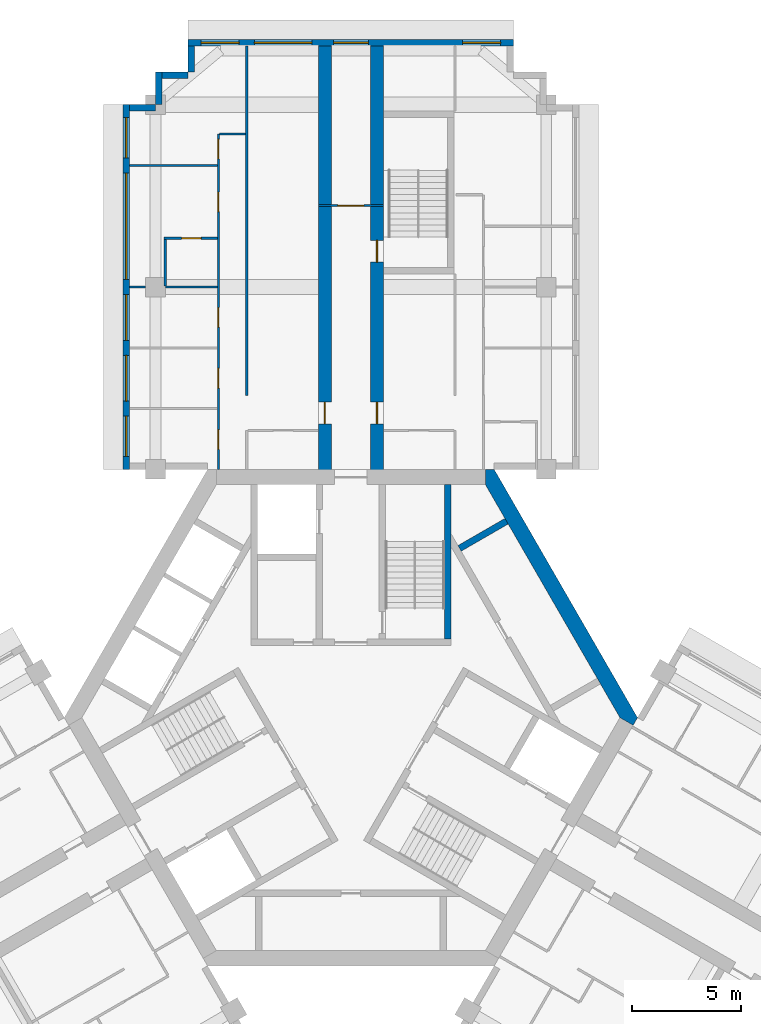
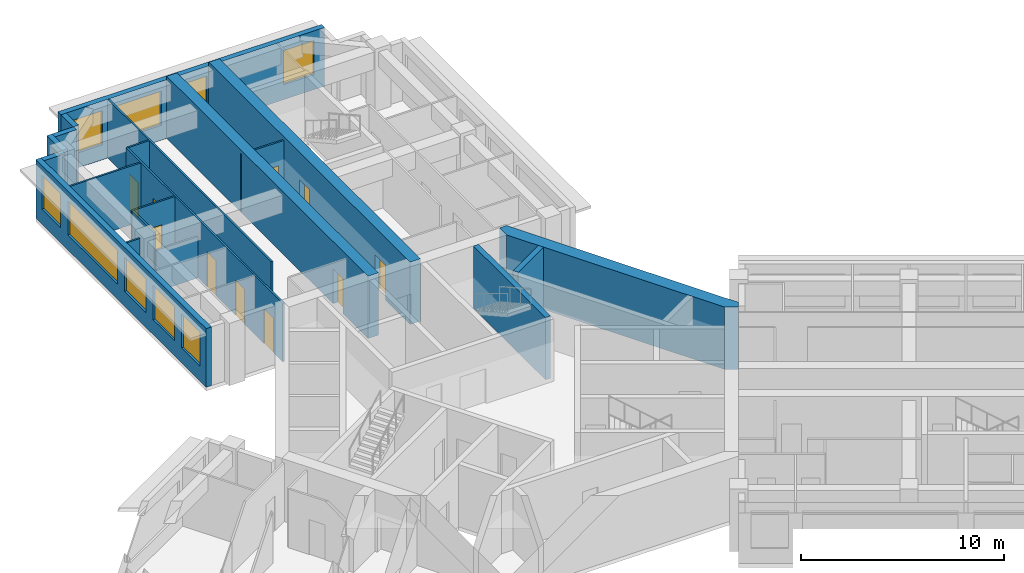
# One storey, part 7 of 10: 20 walls, 10 doors, 9 windows, 19 openings.
"""IFC4 building model written with IfcOpenShell, lengths in metres."""

from ifc_helpers import new_model, si_unit, direction, frame, frame_2d, origin, place, context, subcontext, project, spatial, polyline, rectangle, outline, extrude, material, layer, layer_set, type_object, element, fill, save


model = new_model("IFC4")

# Units and contexts
model_context = context("Model", 3, precision=1e-05, world=origin(), true_north=direction((0.0, 1.0)))
body_context = subcontext(model_context, "Body", "Model", "MODEL_VIEW")
ifc_project = project(units=[si_unit("LENGTHUNIT", "METRE"), si_unit("AREAUNIT", "SQUARE_METRE"), si_unit("VOLUMEUNIT", "CUBIC_METRE"), si_unit("PLANEANGLEUNIT", "RADIAN"), si_unit("MASSUNIT", "GRAM", prefix="KILO")], contexts=[model_context])

# Site, building, storey
site_placement = place(None, origin())
site = spatial("IfcSite", under=ifc_project, at=site_placement, CompositionType="ELEMENT")
building_placement = place(site_placement, origin())
building = spatial("IfcBuilding", under=site, at=building_placement, Name="Impinga Residences", CompositionType="ELEMENT")
storey_placement = place(building_placement, frame((0.0, 0.0, 237.25)))
storey = spatial("IfcBuildingStorey", under=building, at=storey_placement, Name="L59", CompositionType="ELEMENT", Elevation=237.25)

# Wall, opening, door
ifc_material_1 = material(Name="Concrete C60/75", Category="concrete")
ifc_layer_1 = layer(ifc_material_1, 0.60009765625)
ifc_layer_set_1 = layer_set([ifc_layer_1], Name="Concrete C60/75")
wall_type_1 = type_object("IfcWallType", Name="BW3 corridor buttress wall, L46 to L73 600", PredefinedType="SHEAR", material=ifc_layer_set_1)
wall_1_placement = place(storey_placement, frame((-1.199951171875, 11.08154296875, 0.0), z_axis=(0.0, 0.0, 1.0), x_axis=(0.0, 1.0, 0.0)))
wall_1 = element("IfcWall", 1, at=wall_1_placement, inside=storey, type_object=wall_type_1, Name="Corridor wall BW3 NC L59", PredefinedType="SHEAR", context=body_context, shape_type="SweptSolid", body=[
    extrude(rectangle(XDim=19.85009765625, YDim=0.60009765625, at=frame_2d((9.925048828125, 0.0))), origin(), (0.0, 0.0, 1.0), 3.75),
])
opening_1_placement = place(wall_1_placement, frame((2.449951171875, 0.0, 0.0)))
opening_1 = element("IfcOpeningElement", 2, at=opening_1_placement, cuts=wall_1, Name="Opening D1", PredefinedType="OPENING", context=body_context, shape_type="SweptSolid", body=[
    extrude(rectangle(XDim=1.0, YDim=2.10009765625, at=frame_2d((0.5, 1.050048828125))), frame((0.0, 0.31005859375, 0.0), z_axis=(0.0, -1.0, 0.0), x_axis=(1.0, 0.0, 0.0)), (0.0, 0.0, 1.0), 0.6201171875),
])
ifc_material_2 = material(Name="Timber door set", Category="wood")
door_type_1 = type_object("IfcDoorType", Name="D1 apartment entrance door 1000x2100", OperationType="SINGLE_SWING_LEFT", PredefinedType="DOOR", material=ifc_material_2)
door_1_placement = place(opening_1_placement, origin())
door_1 = element("IfcDoor", 3, at=door_1_placement, inside=storey, type_object=door_type_1, Name="Apartment L59-NA1 entrance", OperationType="SINGLE_SWING_LEFT", OverallHeight=2.10009765625, OverallWidth=1.0, PredefinedType="DOOR", context=body_context, shape_type="SweptSolid", body=[
    extrude(rectangle(XDim=1.0, YDim=2.10009765625, at=frame_2d((0.5, 1.050048828125))), frame((0.0, 0.02490234375, 0.0), z_axis=(0.0, -1.0, 0.0), x_axis=(1.0, 0.0, 0.0)), (0.0, 0.0, 1.0), 0.050048828125),
])
fill(opening_1, door_1)

# Wall, openings, doors
wall_2_placement = place(storey_placement, frame((1.199951171875, 11.08154296875, 0.0), z_axis=(0.0, 0.0, 1.0), x_axis=(0.0, 1.0, 0.0)))
wall_2 = element("IfcWall", 4, at=wall_2_placement, inside=storey, type_object=wall_type_1, Name="Corridor wall BW3 ND L59", PredefinedType="SHEAR", context=body_context, shape_type="SweptSolid", body=[
    extrude(rectangle(XDim=19.85009765625, YDim=0.60009765625, at=frame_2d((9.925048828125, 0.0))), origin(), (0.0, 0.0, 1.0), 3.75),
])
opening_2_placement = place(wall_2_placement, frame((9.89990234375, 0.0, 0.0)))
opening_2 = element("IfcOpeningElement", 5, at=opening_2_placement, cuts=wall_2, Name="Opening D5", PredefinedType="OPENING", context=body_context, shape_type="SweptSolid", body=[
    extrude(rectangle(XDim=1.0, YDim=2.10009765625, at=frame_2d((0.5, 1.050048828125))), frame((0.0, 0.31005859375, 0.0), z_axis=(0.0, -1.0, 0.0), x_axis=(1.0, 0.0, 0.0)), (0.0, 0.0, 1.0), 0.6201171875),
])
opening_3_placement = place(wall_2_placement, frame((2.449951171875, 0.0, 0.0)))
opening_3 = element("IfcOpeningElement", 6, at=opening_3_placement, cuts=wall_2, Name="Opening D1", PredefinedType="OPENING", context=body_context, shape_type="SweptSolid", body=[
    extrude(rectangle(XDim=1.0, YDim=2.10009765625, at=frame_2d((0.5, 1.050048828125))), frame((0.0, 0.31005859375, 0.0), z_axis=(0.0, -1.0, 0.0), x_axis=(1.0, 0.0, 0.0)), (0.0, 0.0, 1.0), 0.6201171875),
])
door_2_placement = place(opening_3_placement, origin())
door_2 = element("IfcDoor", 7, at=door_2_placement, inside=storey, type_object=door_type_1, Name="Apartment L59-NF1 entrance", OperationType="SINGLE_SWING_LEFT", OverallHeight=2.10009765625, OverallWidth=1.0, PredefinedType="DOOR", context=body_context, shape_type="SweptSolid", body=[
    extrude(rectangle(XDim=1.0, YDim=2.10009765625, at=frame_2d((0.5, 1.050048828125))), frame((0.0, 0.02490234375, 0.0), z_axis=(0.0, -1.0, 0.0), x_axis=(1.0, 0.0, 0.0)), (0.0, 0.0, 1.0), 0.050048828125),
])
fill(opening_3, door_2)
door_type_2 = type_object("IfcDoorType", Name="D5 stair door 1000x2100", OperationType="SINGLE_SWING_LEFT", PredefinedType="DOOR", material=ifc_material_2)
door_3_placement = place(opening_2_placement, origin())
door_3 = element("IfcDoor", 8, at=door_3_placement, inside=storey, type_object=door_type_2, Name="Wing stair door N", OperationType="SINGLE_SWING_RIGHT", OverallHeight=2.10009765625, OverallWidth=1.0, PredefinedType="DOOR", context=body_context, shape_type="SweptSolid", body=[
    extrude(rectangle(XDim=1.0, YDim=2.10009765625, at=frame_2d((0.5, 1.050048828125))), frame((0.0, 0.02490234375, 0.0), z_axis=(0.0, -1.0, 0.0), x_axis=(1.0, 0.0, 0.0)), (0.0, 0.0, 1.0), 0.050048828125),
])
fill(opening_2, door_3)

# Wall, opening, door
ifc_material_3 = material(Name="Concrete blockwork", Category="masonry")
ifc_layer_2 = layer(ifc_material_3, 0.10009765625)
ifc_layer_set_2 = layer_set([ifc_layer_2], Name="CP1 core room partition, blockwork 100")
wall_type_2 = type_object("IfcWallType", Name="CP1 core room partition, blockwork 100", PredefinedType="PARTITIONING", material=ifc_layer_set_2)
wall_3_placement = place(storey_placement, frame((-1.5, 23.58154296875, 0.0), z_axis=(0.0, 0.0, 1.0), x_axis=(1.0, 0.0, 0.0)))
wall_3 = element("IfcWall", 9, at=wall_3_placement, inside=storey, type_object=wall_type_2, Name="Core room partition, blockwork L59:N:LNG", PredefinedType="PARTITIONING", context=body_context, shape_type="SweptSolid", body=[
    extrude(rectangle(XDim=3.0, YDim=0.10009765625, at=frame_2d((1.5, 0.0))), origin(), (0.0, 0.0, 1.0), 3.530029296875),
])
opening_4_placement = place(wall_3_placement, frame((0.89990234375, 0.0, 0.0)))
opening_4 = element("IfcOpeningElement", 10, at=opening_4_placement, cuts=wall_3, Name="Opening D3", PredefinedType="OPENING", context=body_context, shape_type="SweptSolid", body=[
    extrude(rectangle(XDim=1.199951171875, YDim=2.10009765625, at=frame_2d((0.60009765625, 1.050048828125))), frame((0.0, 0.06005859375, 0.0), z_axis=(0.0, -1.0, 0.0), x_axis=(1.0, 0.0, 0.0)), (0.0, 0.0, 1.0), 0.1201171875),
])
door_type_3 = type_object("IfcDoorType", Name="D3 room door, leaf and a half 1200x2100", OperationType="DOUBLE_SWING_LEFT", PredefinedType="DOOR", material=ifc_material_2)
door_4_placement = place(opening_4_placement, origin())
door_4 = element("IfcDoor", 11, at=door_4_placement, inside=storey, type_object=door_type_3, Name="Residents' lounge door N", OperationType="DOUBLE_SWING_LEFT", OverallHeight=2.10009765625, OverallWidth=1.199951171875, PredefinedType="DOOR", context=body_context, shape_type="SweptSolid", body=[
    extrude(rectangle(XDim=1.199951171875, YDim=2.10009765625, at=frame_2d((0.60009765625, 1.050048828125))), frame((0.0, 0.02490234375, 0.0), z_axis=(0.0, -1.0, 0.0), x_axis=(1.0, 0.0, 0.0)), (0.0, 0.0, 1.0), 0.050048828125),
])
fill(opening_4, door_4)

# Wall, openings, windows
ifc_material_4 = material(Name="Terracotta rainscreen on blockwork", Category="masonry")
ifc_layer_3 = layer(ifc_material_4, 0.300048828125)
ifc_layer_set_3 = layer_set([ifc_layer_3], Name="EW1 external wall, terracotta rainscreen on blockwork 300")
wall_type_3 = type_object("IfcWallType", Name="EW1 external wall, terracotta rainscreen on blockwork 300", PredefinedType="SOLIDWALL", material=ifc_layer_set_3)
wall_4_placement = place(storey_placement, frame((-10.35009765625, 11.431640625, 0.0), z_axis=(0.0, 0.0, 1.0), x_axis=(0.0, 1.0, 0.0)))
wall_4 = element("IfcWall", 12, at=wall_4_placement, inside=storey, type_object=wall_type_3, Name="External wall EW1 L59", PredefinedType="SOLIDWALL", context=body_context, shape_type="SweptSolid", body=[
    extrude(rectangle(XDim=16.7998046875, YDim=0.300048828125, at=frame_2d((8.39990234375, 0.0))), origin(), (0.0, 0.0, 1.0), 3.530029296875),
])
opening_5_placement = place(wall_4_placement, frame((0.60009765625, 0.0, 0.89990234375)))
opening_5 = element("IfcOpeningElement", 13, at=opening_5_placement, cuts=wall_4, Name="Opening W15", PredefinedType="OPENING", context=body_context, shape_type="SweptSolid", body=[
    extrude(rectangle(XDim=1.85009765625, YDim=2.050048828125, at=frame_2d((0.925048828125, 1.02490234375))), frame((0.0, 0.159912109375, 0.0), z_axis=(0.0, -1.0, 0.0), x_axis=(1.0, 0.0, 0.0)), (0.0, 0.0, 1.0), 0.320068359375),
])
opening_6_placement = place(wall_4_placement, frame((3.14990234375, 0.0, 0.89990234375)))
opening_6 = element("IfcOpeningElement", 14, at=opening_6_placement, cuts=wall_4, Name="Opening W9", PredefinedType="OPENING", context=body_context, shape_type="SweptSolid", body=[
    extrude(rectangle(XDim=2.10009765625, YDim=2.050048828125, at=frame_2d((1.050048828125, 1.02490234375))), frame((0.0, 0.159912109375, 0.0), z_axis=(0.0, -1.0, 0.0), x_axis=(1.0, 0.0, 0.0)), (0.0, 0.0, 1.0), 0.320068359375),
])
opening_7_placement = place(wall_4_placement, frame((5.949951171875, 0.0, 0.89990234375)))
opening_7 = element("IfcOpeningElement", 15, at=opening_7_placement, cuts=wall_4, Name="Opening W9", PredefinedType="OPENING", context=body_context, shape_type="SweptSolid", body=[
    extrude(rectangle(XDim=2.10009765625, YDim=2.050048828125, at=frame_2d((1.050048828125, 1.02490234375))), frame((0.0, 0.159912109375, 0.0), z_axis=(0.0, -1.0, 0.0), x_axis=(1.0, 0.0, 0.0)), (0.0, 0.0, 1.0), 0.320068359375),
])
opening_8_placement = place(wall_4_placement, frame((8.75, 0.0, 0.89990234375)))
opening_8 = element("IfcOpeningElement", 16, at=opening_8_placement, cuts=wall_4, Name="Opening W16", PredefinedType="OPENING", context=body_context, shape_type="SweptSolid", body=[
    extrude(rectangle(XDim=4.89990234375, YDim=2.050048828125, at=frame_2d((2.449951171875, 1.02490234375))), frame((0.0, 0.159912109375, 0.0), z_axis=(0.0, -1.0, 0.0), x_axis=(1.0, 0.0, 0.0)), (0.0, 0.0, 1.0), 0.320068359375),
])
opening_9_placement = place(wall_4_placement, frame((14.35009765625, 0.0, 0.89990234375)))
opening_9 = element("IfcOpeningElement", 17, at=opening_9_placement, cuts=wall_4, Name="Opening W15", PredefinedType="OPENING", context=body_context, shape_type="SweptSolid", body=[
    extrude(rectangle(XDim=1.85009765625, YDim=2.050048828125, at=frame_2d((0.925048828125, 1.02490234375))), frame((0.0, 0.159912109375, 0.0), z_axis=(0.0, -1.0, 0.0), x_axis=(1.0, 0.0, 0.0)), (0.0, 0.0, 1.0), 0.320068359375),
])
ifc_material_5 = material(Name="Aluminium window, clear double glazing", Category="aluminium")
window_type_1 = type_object("IfcWindowType", Name="W15 ribbon window 1850x2050", PartitioningType="SINGLE_PANEL", PredefinedType="WINDOW", material=ifc_material_5)
window_1_placement = place(opening_5_placement, origin())
window_1 = element("IfcWindow", 18, at=window_1_placement, inside=storey, type_object=window_type_1, Name="Window L59", OverallHeight=2.050048828125, OverallWidth=1.85009765625, PartitioningType="SINGLE_PANEL", PredefinedType="WINDOW", context=body_context, shape_type="SweptSolid", body=[
    extrude(rectangle(XDim=1.85009765625, YDim=2.050048828125, at=frame_2d((0.925048828125, 1.02490234375))), frame((0.0, 0.030029296875, 0.0), z_axis=(0.0, -1.0, 0.0), x_axis=(1.0, 0.0, 0.0)), (0.0, 0.0, 1.0), 0.06005859375),
])
fill(opening_5, window_1)
window_2_placement = place(opening_9_placement, origin())
window_2 = element("IfcWindow", 19, at=window_2_placement, inside=storey, type_object=window_type_1, Name="Window L59", OverallHeight=2.050048828125, OverallWidth=1.85009765625, PartitioningType="SINGLE_PANEL", PredefinedType="WINDOW", context=body_context, shape_type="SweptSolid", body=[
    extrude(rectangle(XDim=1.85009765625, YDim=2.050048828125, at=frame_2d((0.925048828125, 1.02490234375))), frame((0.0, 0.030029296875, 0.0), z_axis=(0.0, -1.0, 0.0), x_axis=(1.0, 0.0, 0.0)), (0.0, 0.0, 1.0), 0.06005859375),
])
fill(opening_9, window_2)
window_type_2 = type_object("IfcWindowType", Name="W16 ribbon window 4900x2050", PartitioningType="SINGLE_PANEL", PredefinedType="WINDOW", material=ifc_material_5)
window_3_placement = place(opening_8_placement, origin())
window_3 = element("IfcWindow", 20, at=window_3_placement, inside=storey, type_object=window_type_2, Name="Window L59", OverallHeight=2.050048828125, OverallWidth=4.89990234375, PartitioningType="SINGLE_PANEL", PredefinedType="WINDOW", context=body_context, shape_type="SweptSolid", body=[
    extrude(rectangle(XDim=4.89990234375, YDim=2.050048828125, at=frame_2d((2.449951171875, 1.02490234375))), frame((0.0, 0.030029296875, 0.0), z_axis=(0.0, -1.0, 0.0), x_axis=(1.0, 0.0, 0.0)), (0.0, 0.0, 1.0), 0.06005859375),
])
fill(opening_8, window_3)
window_type_3 = type_object("IfcWindowType", Name="W9 ribbon window 2100x2050", PartitioningType="SINGLE_PANEL", PredefinedType="WINDOW", material=ifc_material_5)
window_4_placement = place(opening_6_placement, origin())
window_4 = element("IfcWindow", 21, at=window_4_placement, inside=storey, type_object=window_type_3, Name="Window L59", OverallHeight=2.050048828125, OverallWidth=2.10009765625, PartitioningType="SINGLE_PANEL", PredefinedType="WINDOW", context=body_context, shape_type="SweptSolid", body=[
    extrude(rectangle(XDim=2.10009765625, YDim=2.050048828125, at=frame_2d((1.050048828125, 1.02490234375))), frame((0.0, 0.030029296875, 0.0), z_axis=(0.0, -1.0, 0.0), x_axis=(1.0, 0.0, 0.0)), (0.0, 0.0, 1.0), 0.06005859375),
])
fill(opening_6, window_4)
window_5_placement = place(opening_7_placement, origin())
window_5 = element("IfcWindow", 22, at=window_5_placement, inside=storey, type_object=window_type_3, Name="Window L59", OverallHeight=2.050048828125, OverallWidth=2.10009765625, PartitioningType="SINGLE_PANEL", PredefinedType="WINDOW", context=body_context, shape_type="SweptSolid", body=[
    extrude(rectangle(XDim=2.10009765625, YDim=2.050048828125, at=frame_2d((1.050048828125, 1.02490234375))), frame((0.0, 0.030029296875, 0.0), z_axis=(0.0, -1.0, 0.0), x_axis=(1.0, 0.0, 0.0)), (0.0, 0.0, 1.0), 0.06005859375),
])
fill(opening_7, window_5)

# Walls
wall_5_placement = place(storey_placement, frame((-10.199951171875, 28.08154296875, 0.0), z_axis=(0.0, 0.0, 1.0), x_axis=(1.0, 0.0, 0.0)))
element("IfcWall", 23, at=wall_5_placement, inside=storey, type_object=wall_type_3, Name="External wall EW1 L59", PredefinedType="SOLIDWALL", context=body_context, shape_type="SweptSolid", body=[
    extrude(rectangle(XDim=1.199951171875, YDim=0.300048828125, at=frame_2d((0.60009765625, 0.0))), origin(), (0.0, 0.0, 1.0), 3.530029296875),
])
wall_6_placement = place(storey_placement, frame((-8.85009765625, 28.236572265625, 0.0), z_axis=(0.0, 0.0, 1.0), x_axis=(0.0, 1.0, 0.0)))
element("IfcWall", 24, at=wall_6_placement, inside=storey, type_object=wall_type_3, Name="External wall EW1 L59", PredefinedType="SOLIDWALL", context=body_context, shape_type="SweptSolid", body=[
    extrude(rectangle(XDim=1.494873046875, YDim=0.300048828125, at=frame_2d((0.74755859375, 0.0))), origin(), (0.0, 0.0, 1.0), 3.530029296875),
])
wall_7_placement = place(storey_placement, frame((-8.699951171875, 29.58154296875, 0.0), z_axis=(0.0, 0.0, 1.0), x_axis=(1.0, 0.0, 0.0)))
element("IfcWall", 25, at=wall_7_placement, inside=storey, type_object=wall_type_3, Name="External wall EW1 L59", PredefinedType="SOLIDWALL", context=body_context, shape_type="SweptSolid", body=[
    extrude(rectangle(XDim=1.199951171875, YDim=0.300048828125, at=frame_2d((0.60009765625, 0.0))), origin(), (0.0, 0.0, 1.0), 3.530029296875),
])
wall_8_placement = place(storey_placement, frame((-7.35009765625, 29.736572265625, 0.0), z_axis=(0.0, 0.0, 1.0), x_axis=(0.0, 1.0, 0.0)))
element("IfcWall", 26, at=wall_8_placement, inside=storey, type_object=wall_type_3, Name="External wall EW1 L59", PredefinedType="SOLIDWALL", context=body_context, shape_type="SweptSolid", body=[
    extrude(rectangle(XDim=1.195068359375, YDim=0.300048828125, at=frame_2d((0.59765625, 0.0))), origin(), (0.0, 0.0, 1.0), 3.530029296875),
])

# Wall, openings, windows
wall_9_placement = place(storey_placement, frame((-7.5, 31.08154296875, 0.0), z_axis=(0.0, 0.0, 1.0), x_axis=(1.0, 0.0, 0.0)))
wall_9 = element("IfcWall", 27, at=wall_9_placement, inside=storey, type_object=wall_type_3, Name="External wall EW1 L59", PredefinedType="SOLIDWALL", context=body_context, shape_type="SweptSolid", body=[
    extrude(rectangle(XDim=15.0, YDim=0.300048828125, at=frame_2d((7.5, 0.0))), origin(), (0.0, 0.0, 1.0), 3.530029296875),
])
opening_10_placement = place(wall_9_placement, frame((0.60009765625, 0.0, 0.89990234375)))
opening_10 = element("IfcOpeningElement", 28, at=opening_10_placement, cuts=wall_9, Name="Opening W1", PredefinedType="OPENING", context=body_context, shape_type="SweptSolid", body=[
    extrude(rectangle(XDim=1.75, YDim=2.050048828125, at=frame_2d((0.875, 1.02490234375))), frame((0.0, 0.159912109375, 0.0), z_axis=(0.0, -1.0, 0.0), x_axis=(1.0, 0.0, 0.0)), (0.0, 0.0, 1.0), 0.320068359375),
])
opening_11_placement = place(wall_9_placement, frame((3.050048828125, 0.0, 0.89990234375)))
opening_11 = element("IfcOpeningElement", 29, at=opening_11_placement, cuts=wall_9, Name="Opening W18", PredefinedType="OPENING", context=body_context, shape_type="SweptSolid", body=[
    extrude(rectangle(XDim=2.64990234375, YDim=2.050048828125, at=frame_2d((1.324951171875, 1.02490234375))), frame((0.0, 0.159912109375, 0.0), z_axis=(0.0, -1.0, 0.0), x_axis=(1.0, 0.0, 0.0)), (0.0, 0.0, 1.0), 0.320068359375),
])
opening_12_placement = place(wall_9_placement, frame((6.699951171875, 0.0, 0.89990234375)))
opening_12 = element("IfcOpeningElement", 30, at=opening_12_placement, cuts=wall_9, Name="Opening W19", PredefinedType="OPENING", context=body_context, shape_type="SweptSolid", body=[
    extrude(rectangle(XDim=1.60009765625, YDim=2.050048828125, at=frame_2d((0.800048828125, 1.02490234375))), frame((0.0, 0.159912109375, 0.0), z_axis=(0.0, -1.0, 0.0), x_axis=(1.0, 0.0, 0.0)), (0.0, 0.0, 1.0), 0.320068359375),
])
opening_13_placement = place(wall_9_placement, frame((12.64990234375, 0.0, 0.89990234375)))
opening_13 = element("IfcOpeningElement", 31, at=opening_13_placement, cuts=wall_9, Name="Opening W1", PredefinedType="OPENING", context=body_context, shape_type="SweptSolid", body=[
    extrude(rectangle(XDim=1.75, YDim=2.050048828125, at=frame_2d((0.875, 1.02490234375))), frame((0.0, 0.159912109375, 0.0), z_axis=(0.0, -1.0, 0.0), x_axis=(1.0, 0.0, 0.0)), (0.0, 0.0, 1.0), 0.320068359375),
])
window_type_4 = type_object("IfcWindowType", Name="W1 ribbon window 1750x2050", PartitioningType="SINGLE_PANEL", PredefinedType="WINDOW", material=ifc_material_5)
window_6_placement = place(opening_10_placement, origin())
window_6 = element("IfcWindow", 32, at=window_6_placement, inside=storey, type_object=window_type_4, Name="Window L59", OverallHeight=2.050048828125, OverallWidth=1.75, PartitioningType="SINGLE_PANEL", PredefinedType="WINDOW", context=body_context, shape_type="SweptSolid", body=[
    extrude(rectangle(XDim=1.75, YDim=2.050048828125, at=frame_2d((0.875, 1.02490234375))), frame((0.0, 0.030029296875, 0.0), z_axis=(0.0, -1.0, 0.0), x_axis=(1.0, 0.0, 0.0)), (0.0, 0.0, 1.0), 0.06005859375),
])
fill(opening_10, window_6)
window_7_placement = place(opening_13_placement, origin())
window_7 = element("IfcWindow", 33, at=window_7_placement, inside=storey, type_object=window_type_4, Name="Window L59", OverallHeight=2.050048828125, OverallWidth=1.75, PartitioningType="SINGLE_PANEL", PredefinedType="WINDOW", context=body_context, shape_type="SweptSolid", body=[
    extrude(rectangle(XDim=1.75, YDim=2.050048828125, at=frame_2d((0.875, 1.02490234375))), frame((0.0, 0.030029296875, 0.0), z_axis=(0.0, -1.0, 0.0), x_axis=(1.0, 0.0, 0.0)), (0.0, 0.0, 1.0), 0.06005859375),
])
fill(opening_13, window_7)
window_type_5 = type_object("IfcWindowType", Name="W18 ribbon window 2650x2050", PartitioningType="SINGLE_PANEL", PredefinedType="WINDOW", material=ifc_material_5)
window_8_placement = place(opening_11_placement, origin())
window_8 = element("IfcWindow", 34, at=window_8_placement, inside=storey, type_object=window_type_5, Name="Window L59", OverallHeight=2.050048828125, OverallWidth=2.64990234375, PartitioningType="SINGLE_PANEL", PredefinedType="WINDOW", context=body_context, shape_type="SweptSolid", body=[
    extrude(rectangle(XDim=2.64990234375, YDim=2.050048828125, at=frame_2d((1.324951171875, 1.02490234375))), frame((0.0, 0.030029296875, 0.0), z_axis=(0.0, -1.0, 0.0), x_axis=(1.0, 0.0, 0.0)), (0.0, 0.0, 1.0), 0.06005859375),
])
fill(opening_11, window_8)
window_type_6 = type_object("IfcWindowType", Name="W19 ribbon window 1600x2050", PartitioningType="SINGLE_PANEL", PredefinedType="WINDOW", material=ifc_material_5)
window_9_placement = place(opening_12_placement, origin())
window_9 = element("IfcWindow", 35, at=window_9_placement, inside=storey, type_object=window_type_6, Name="Window L59", OverallHeight=2.050048828125, OverallWidth=1.60009765625, PartitioningType="SINGLE_PANEL", PredefinedType="WINDOW", context=body_context, shape_type="SweptSolid", body=[
    extrude(rectangle(XDim=1.60009765625, YDim=2.050048828125, at=frame_2d((0.800048828125, 1.02490234375))), frame((0.0, 0.030029296875, 0.0), z_axis=(0.0, -1.0, 0.0), x_axis=(1.0, 0.0, 0.0)), (0.0, 0.0, 1.0), 0.06005859375),
])
fill(opening_12, window_9)

# Wall
ifc_material_6 = material(Name="Gypsum board on steel studs", Category="steel")
ifc_layer_4 = layer(ifc_material_6, 0.10009765625)
ifc_layer_set_4 = layer_set([ifc_layer_4], Name="Gypsum board on steel studs")
wall_type_4 = type_object("IfcWallType", Name="IP1 partition 100", PredefinedType="PARTITIONING", material=ifc_layer_set_4)
wall_10_placement = place(storey_placement, frame((-4.800048828125, 14.83154296875, 0.0), z_axis=(0.0, 0.0, 1.0), x_axis=(0.0, 1.0, 0.0)))
element("IfcWall", 36, at=wall_10_placement, inside=storey, type_object=wall_type_4, Name="Partition L59-NA1:DIV1", PredefinedType="PARTITIONING", context=body_context, shape_type="SweptSolid", body=[
    extrude(rectangle(XDim=16.10009765625, YDim=0.10009765625, at=frame_2d((8.050048828125, 0.0))), origin(), (0.0, 0.0, 1.0), 3.530029296875),
])

# Wall, openings, doors
wall_11_placement = place(storey_placement, frame((-6.10009765625, 11.431640625, 0.0), z_axis=(0.0, 0.0, 1.0), x_axis=(0.0, 1.0, 0.0)))
wall_11 = element("IfcWall", 37, at=wall_11_placement, inside=storey, type_object=wall_type_4, Name="Partition L59-NA1:STRIP", PredefinedType="PARTITIONING", context=body_context, shape_type="SweptSolid", body=[
    extrude(rectangle(XDim=15.449951171875, YDim=0.10009765625, at=frame_2d((7.72509765625, 0.0))), origin(), (0.0, 0.0, 1.0), 3.530029296875),
])
opening_14_placement = place(wall_11_placement, frame((0.925048828125, 0.0, 0.0)))
opening_14 = element("IfcOpeningElement", 38, at=opening_14_placement, cuts=wall_11, Name="Opening D2", PredefinedType="OPENING", context=body_context, shape_type="SweptSolid", body=[
    extrude(rectangle(XDim=0.89990234375, YDim=2.10009765625, at=frame_2d((0.449951171875, 1.050048828125))), frame((0.0, 0.06005859375, 0.0), z_axis=(0.0, -1.0, 0.0), x_axis=(1.0, 0.0, 0.0)), (0.0, 0.0, 1.0), 0.1201171875),
])
opening_15_placement = place(wall_11_placement, frame((3.75, 0.0, 0.0)))
opening_15 = element("IfcOpeningElement", 39, at=opening_15_placement, cuts=wall_11, Name="Opening D2", PredefinedType="OPENING", context=body_context, shape_type="SweptSolid", body=[
    extrude(rectangle(XDim=0.89990234375, YDim=2.10009765625, at=frame_2d((0.449951171875, 1.050048828125))), frame((0.0, 0.06005859375, 0.0), z_axis=(0.0, -1.0, 0.0), x_axis=(1.0, 0.0, 0.0)), (0.0, 0.0, 1.0), 0.1201171875),
])
opening_16_placement = place(wall_11_placement, frame((6.550048828125, 0.0, 0.0)))
opening_16 = element("IfcOpeningElement", 40, at=opening_16_placement, cuts=wall_11, Name="Opening D2", PredefinedType="OPENING", context=body_context, shape_type="SweptSolid", body=[
    extrude(rectangle(XDim=0.89990234375, YDim=2.10009765625, at=frame_2d((0.449951171875, 1.050048828125))), frame((0.0, 0.06005859375, 0.0), z_axis=(0.0, -1.0, 0.0), x_axis=(1.0, 0.0, 0.0)), (0.0, 0.0, 1.0), 0.1201171875),
])
opening_17_placement = place(wall_11_placement, frame((11.875, 0.0, 0.0)))
opening_17 = element("IfcOpeningElement", 41, at=opening_17_placement, cuts=wall_11, Name="Opening D2", PredefinedType="OPENING", context=body_context, shape_type="SweptSolid", body=[
    extrude(rectangle(XDim=0.89990234375, YDim=2.10009765625, at=frame_2d((0.449951171875, 1.050048828125))), frame((0.0, 0.06005859375, 0.0), z_axis=(0.0, -1.0, 0.0), x_axis=(1.0, 0.0, 0.0)), (0.0, 0.0, 1.0), 0.1201171875),
])
opening_18_placement = place(wall_11_placement, frame((14.300048828125, 0.0, 0.0)))
opening_18 = element("IfcOpeningElement", 42, at=opening_18_placement, cuts=wall_11, Name="Opening D2", PredefinedType="OPENING", context=body_context, shape_type="SweptSolid", body=[
    extrude(rectangle(XDim=0.89990234375, YDim=2.10009765625, at=frame_2d((0.449951171875, 1.050048828125))), frame((0.0, 0.06005859375, 0.0), z_axis=(0.0, -1.0, 0.0), x_axis=(1.0, 0.0, 0.0)), (0.0, 0.0, 1.0), 0.1201171875),
])
door_type_4 = type_object("IfcDoorType", Name="D2 internal door 900x2100", OperationType="SINGLE_SWING_LEFT", PredefinedType="DOOR", material=ifc_material_2)
door_5_placement = place(opening_14_placement, origin())
door_5 = element("IfcDoor", 43, at=door_5_placement, inside=storey, type_object=door_type_4, Name="Apartment L59-NA1 room door", OperationType="SINGLE_SWING_LEFT", OverallHeight=2.10009765625, OverallWidth=0.89990234375, PredefinedType="DOOR", context=body_context, shape_type="SweptSolid", body=[
    extrude(rectangle(XDim=0.89990234375, YDim=2.10009765625, at=frame_2d((0.449951171875, 1.050048828125))), frame((0.0, 0.02490234375, 0.0), z_axis=(0.0, -1.0, 0.0), x_axis=(1.0, 0.0, 0.0)), (0.0, 0.0, 1.0), 0.050048828125),
])
fill(opening_14, door_5)
door_6_placement = place(opening_15_placement, origin())
door_6 = element("IfcDoor", 44, at=door_6_placement, inside=storey, type_object=door_type_4, Name="Apartment L59-NA1 room door", OperationType="SINGLE_SWING_LEFT", OverallHeight=2.10009765625, OverallWidth=0.89990234375, PredefinedType="DOOR", context=body_context, shape_type="SweptSolid", body=[
    extrude(rectangle(XDim=0.89990234375, YDim=2.10009765625, at=frame_2d((0.449951171875, 1.050048828125))), frame((0.0, 0.02490234375, 0.0), z_axis=(0.0, -1.0, 0.0), x_axis=(1.0, 0.0, 0.0)), (0.0, 0.0, 1.0), 0.050048828125),
])
fill(opening_15, door_6)
door_7_placement = place(opening_16_placement, origin())
door_7 = element("IfcDoor", 45, at=door_7_placement, inside=storey, type_object=door_type_4, Name="Apartment L59-NA1 room door", OperationType="SINGLE_SWING_LEFT", OverallHeight=2.10009765625, OverallWidth=0.89990234375, PredefinedType="DOOR", context=body_context, shape_type="SweptSolid", body=[
    extrude(rectangle(XDim=0.89990234375, YDim=2.10009765625, at=frame_2d((0.449951171875, 1.050048828125))), frame((0.0, 0.02490234375, 0.0), z_axis=(0.0, -1.0, 0.0), x_axis=(1.0, 0.0, 0.0)), (0.0, 0.0, 1.0), 0.050048828125),
])
fill(opening_16, door_7)
door_8_placement = place(opening_17_placement, origin())
door_8 = element("IfcDoor", 46, at=door_8_placement, inside=storey, type_object=door_type_4, Name="Apartment L59-NA1 room door", OperationType="SINGLE_SWING_RIGHT", OverallHeight=2.10009765625, OverallWidth=0.89990234375, PredefinedType="DOOR", context=body_context, shape_type="SweptSolid", body=[
    extrude(rectangle(XDim=0.89990234375, YDim=2.10009765625, at=frame_2d((0.449951171875, 1.050048828125))), frame((0.0, 0.02490234375, 0.0), z_axis=(0.0, -1.0, 0.0), x_axis=(1.0, 0.0, 0.0)), (0.0, 0.0, 1.0), 0.050048828125),
])
fill(opening_17, door_8)
door_9_placement = place(opening_18_placement, origin())
door_9 = element("IfcDoor", 47, at=door_9_placement, inside=storey, type_object=door_type_4, Name="Apartment L59-NA1 room door", OperationType="SINGLE_SWING_RIGHT", OverallHeight=2.10009765625, OverallWidth=0.89990234375, PredefinedType="DOOR", context=body_context, shape_type="SweptSolid", body=[
    extrude(rectangle(XDim=0.89990234375, YDim=2.10009765625, at=frame_2d((0.449951171875, 1.050048828125))), frame((0.0, 0.02490234375, 0.0), z_axis=(0.0, -1.0, 0.0), x_axis=(1.0, 0.0, 0.0)), (0.0, 0.0, 1.0), 0.050048828125),
])
fill(opening_18, door_9)

# Walls
wall_12_placement = place(storey_placement, frame((-4.85009765625, 26.881591796875, 0.0), z_axis=(0.0, 0.0, 1.0), x_axis=(-1.0, 0.0, 0.0)))
element("IfcWall", 48, at=wall_12_placement, inside=storey, type_object=wall_type_4, Name="Partition L59-NA1:SE1", PredefinedType="PARTITIONING", context=body_context, shape_type="SweptSolid", body=[
    extrude(rectangle(XDim=1.199951171875, YDim=0.10009765625, at=frame_2d((0.60009765625, 0.0))), origin(), (0.0, 0.0, 1.0), 3.530029296875),
])
wall_13_placement = place(storey_placement, frame((-6.14990234375, 19.83154296875, 0.0), z_axis=(0.0, 0.0, 1.0), x_axis=(-1.0, 0.0, 0.0)))
element("IfcWall", 49, at=wall_13_placement, inside=storey, type_object=wall_type_4, Name="Partition L59-NA1:OB3", PredefinedType="PARTITIONING", context=body_context, shape_type="SweptSolid", body=[
    extrude(rectangle(XDim=2.400146484375, YDim=0.10009765625, at=frame_2d((1.2001953125, 0.0))), origin(), (0.0, 0.0, 1.0), 2.47998046875),
])
wall_14_placement = place(storey_placement, frame((-9.449951171875, 19.83154296875, 0.0), z_axis=(0.0, 0.0, 1.0), x_axis=(-1.0, 0.0, 0.0)))
element("IfcWall", 50, at=wall_14_placement, inside=storey, type_object=wall_type_4, Name="Partition L59-NA1:OB3b", PredefinedType="PARTITIONING", context=body_context, shape_type="SweptSolid", body=[
    extrude(rectangle(XDim=0.75, YDim=0.10009765625, at=frame_2d((0.375, 0.0))), origin(), (0.0, 0.0, 1.0), 3.530029296875),
])
wall_15_placement = place(storey_placement, frame((-6.14990234375, 25.431640625, 0.0), z_axis=(0.0, 0.0, 1.0), x_axis=(-1.0, 0.0, 0.0)))
element("IfcWall", 51, at=wall_15_placement, inside=storey, type_object=wall_type_4, Name="Partition L59-NA1:OB4", PredefinedType="PARTITIONING", context=body_context, shape_type="SweptSolid", body=[
    extrude(rectangle(XDim=4.050048828125, YDim=0.10009765625, at=frame_2d((2.02490234375, 0.0))), origin(), (0.0, 0.0, 1.0), 3.530029296875),
])

# Wall, opening, door
wall_16_placement = place(storey_placement, frame((-6.14990234375, 22.08154296875, 0.0), z_axis=(0.0, 0.0, 1.0), x_axis=(-1.0, 0.0, 0.0)))
wall_16 = element("IfcWall", 52, at=wall_16_placement, inside=storey, type_object=wall_type_4, Name="Partition L59-NA1:EN1", PredefinedType="PARTITIONING", context=body_context, shape_type="SweptSolid", body=[
    extrude(rectangle(XDim=2.4501953125, YDim=0.10009765625, at=frame_2d((1.22509765625, 0.0))), origin(), (0.0, 0.0, 1.0), 3.530029296875),
])
opening_19_placement = place(wall_16_placement, frame((0.75, 0.0, 0.0)))
opening_19 = element("IfcOpeningElement", 53, at=opening_19_placement, cuts=wall_16, Name="Opening D2", PredefinedType="OPENING", context=body_context, shape_type="SweptSolid", body=[
    extrude(rectangle(XDim=0.89990234375, YDim=2.10009765625, at=frame_2d((0.449951171875, 1.050048828125))), frame((0.0, 0.06005859375, 0.0), z_axis=(0.0, -1.0, 0.0), x_axis=(1.0, 0.0, 0.0)), (0.0, 0.0, 1.0), 0.1201171875),
])
door_10_placement = place(opening_19_placement, origin())
door_10 = element("IfcDoor", 54, at=door_10_placement, inside=storey, type_object=door_type_4, Name="Apartment L59-NA1 en-suite door", OperationType="SINGLE_SWING_LEFT", OverallHeight=2.10009765625, OverallWidth=0.89990234375, PredefinedType="DOOR", context=body_context, shape_type="SweptSolid", body=[
    extrude(rectangle(XDim=0.89990234375, YDim=2.10009765625, at=frame_2d((0.449951171875, 1.050048828125))), frame((0.0, 0.02490234375, 0.0), z_axis=(0.0, -1.0, 0.0), x_axis=(1.0, 0.0, 0.0)), (0.0, 0.0, 1.0), 0.050048828125),
])
fill(opening_19, door_10)

# Walls
wall_17_placement = place(storey_placement, frame((-8.550048828125, 19.881591796875, 0.0), z_axis=(0.0, 0.0, 1.0), x_axis=(0.0, 1.0, 0.0)))
element("IfcWall", 55, at=wall_17_placement, inside=storey, type_object=wall_type_4, Name="Partition L59-NA1:EN2", PredefinedType="PARTITIONING", context=body_context, shape_type="SweptSolid", body=[
    extrude(rectangle(XDim=2.14990234375, YDim=0.10009765625, at=frame_2d((1.074951171875, 0.0))), origin(), (0.0, 0.0, 1.0), 3.530029296875),
])
ifc_layer_5 = layer(ifc_material_1, 0.699951171875)
ifc_layer_set_5 = layer_set([ifc_layer_5], Name="Concrete C60/75")
wall_type_5 = type_object("IfcWallType", Name="SW3 core wall 700", PredefinedType="SHEAR", material=ifc_layer_set_5)
wall_18_placement = place(storey_placement, origin())
element("IfcWall", 56, at=wall_18_placement, inside=storey, type_object=wall_type_5, Name="Core wall SW3 W:EXPOSED L59", PredefinedType="SHEAR", context=body_context, shape_type="SweptSolid", body=[
    extrude(outline(polyline([(13.199951171875, 0.0), (6.60009765625, 11.431640625), (6.19580078125, 11.431640625), (6.19580078125, 10.7314453125), (12.3916015625, 0.0), (12.998046875, -0.35009765625), (13.199951171875, 0.0)])), origin(), (0.0, 0.0, 1.0), 3.75),
])
ifc_material_7 = material(Name="Concrete C70/85", Category="concrete")
ifc_layer_6 = layer(ifc_material_7, 0.300048828125)
ifc_layer_set_6 = layer_set([ifc_layer_6], Name="Concrete C70/85")
wall_type_6 = type_object("IfcWallType", Name="SW5 core inner wall, stairs, shafts and lobbies 300", PredefinedType="SHEAR", material=ifc_layer_set_6)
wall_19_placement = place(storey_placement, frame((4.449951171875, 3.6298828125, 0.0), z_axis=(0.0, 0.0, 1.0), x_axis=(0.0, 1.0, 0.0)))
element("IfcWall", 57, at=wall_19_placement, inside=storey, type_object=wall_type_6, Name="Core wall SW5 N:ST-OUT L59", PredefinedType="SHEAR", context=body_context, shape_type="SweptSolid", body=[
    extrude(rectangle(XDim=7.1015625, YDim=0.300048828125, at=frame_2d((3.55078125, 0.0))), origin(), (0.0, 0.0, 1.0), 3.75),
])
wall_20_placement = place(storey_placement, frame((5.003662109375, 7.79638671875, 0.0), z_axis=(0.0, 0.0, 1.0), x_axis=(0.866022959057, 0.500004234368, 0.0)))
element("IfcWall", 58, at=wall_20_placement, inside=storey, type_object=wall_type_6, Name="Core wall SW5 W:BANK-L L59", PredefinedType="SHEAR", context=body_context, shape_type="SweptSolid", body=[
    extrude(rectangle(XDim=2.5, YDim=0.300048828125, at=frame_2d((1.25, 0.0))), origin(), (0.0, 0.0, 1.0), 3.75),
])

save(model, "model.ifc")
